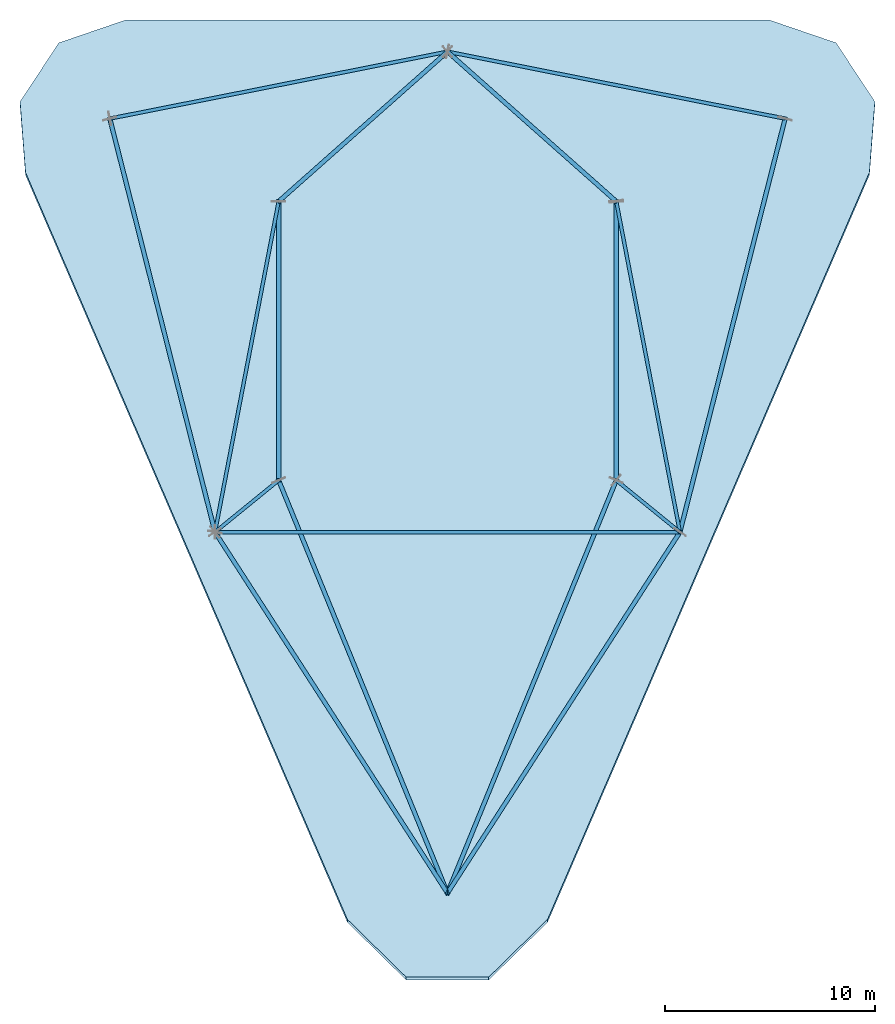
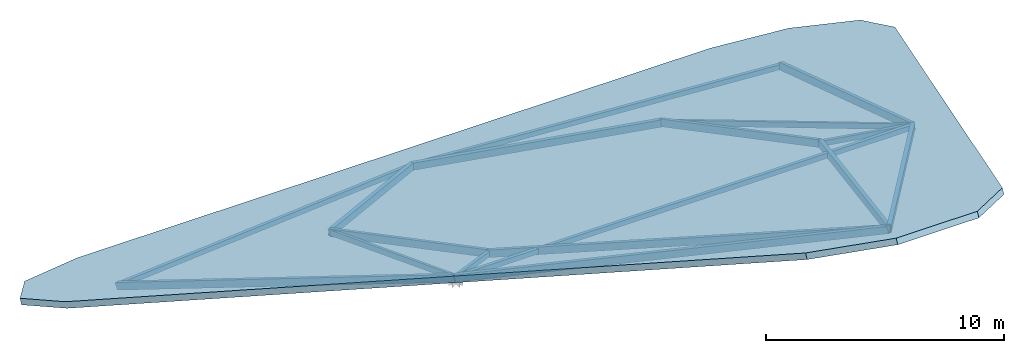
# One storey, part 1 of 2: 17 members, 1 slab.
"""IFC4 building model written with IfcOpenShell, lengths in metres."""

from ifc_helpers import new_model, si_unit, direction, frame, origin, origin_2d, place, context, subcontext, project, spatial, polyline, hollow_rectangle, outline, extrude, material, layer, layer_set, material_profile, profile_set, type_object, element, save


model = new_model("IFC4")

# Units and contexts
model_context = context("Model", 3, precision=1e-05, world=origin(), true_north=direction((0.0, 1.0)))
body_context = subcontext(model_context, "Body", "Model", "MODEL_VIEW")
ifc_project = project(units=[si_unit("LENGTHUNIT", "METRE"), si_unit("AREAUNIT", "SQUARE_METRE"), si_unit("VOLUMEUNIT", "CUBIC_METRE"), si_unit("PLANEANGLEUNIT", "RADIAN"), si_unit("MASSUNIT", "GRAM", prefix="KILO")], contexts=[model_context])

# Site, building, storey
site_placement = place(None, origin())
site = spatial("IfcSite", under=ifc_project, at=site_placement, CompositionType="ELEMENT")
building_placement = place(site_placement, origin())
building = spatial("IfcBuilding", under=site, at=building_placement, Name="Talyreon Biosciences Tower", CompositionType="ELEMENT")
storey_placement = place(building_placement, frame((0.0, 0.0, 346.5)))
storey = spatial("IfcBuildingStorey", under=building, at=storey_placement, Name="RF", CompositionType="ELEMENT", Elevation=346.5)

# Members
ifc_material_1 = material(Name="Steel SM355", Category="steel")
ifc_material_profile_1 = material_profile(ifc_material_1, hollow_rectangle(XDim=0.159912109375, YDim=0.260009765625, WallThickness=0.010009765625, at=origin_2d()), Name="RHS 260x160x10")
ifc_profile_set_1 = profile_set([ifc_material_profile_1], Name="Steel SM355")
member_type_1 = type_object("IfcMemberType", Name="CrownPurlin_RHS260x160", PredefinedType="PURLIN", material=ifc_profile_set_1)
for number, where, z_axis, x_axis, name in (
    (1, (49.897705078125, 78.5986328125, -22.3076171875), (0.977195265268, 0.193601857801, -0.087222326232), (-0.194342522311, 0.980933730698, 0.0), "Slanted Crown Purlin 01"),
    (2, (66.0, 81.788818359375, -23.744873046875), (0.977195265268, -0.193601857801, 0.087222326232), (0.194342522311, 0.980933730698, 0.0), "Slanted Crown Purlin 02"),
):
    element("IfcMember", number, at=place(storey_placement, frame(where, z_axis=z_axis, x_axis=x_axis)), inside=storey, type_object=member_type_1, Name=name, PredefinedType="PURLIN", context=body_context, shape_type="SweptSolid", body=[
        extrude(hollow_rectangle(XDim=0.159912109375, YDim=0.260009765625, WallThickness=0.010009765625, at=origin_2d()), origin(), (0.0, 0.0, 1.0), 16.47802734375),
    ])
member_1_placement = place(storey_placement, frame((54.913818359375, 58.88037109375, -11.69970703125), z_axis=(0.167989674377, 0.872530479848, -0.458770128756), x_axis=(-0.981965652528, 0.189059401394, 0.0)))
element("IfcMember", 3, at=member_1_placement, inside=storey, type_object=member_type_1, Name="Slanted Crown Purlin 03", PredefinedType="PURLIN", context=body_context, shape_type="SweptSolid", body=[
    extrude(hollow_rectangle(XDim=0.159912109375, YDim=0.260009765625, WallThickness=0.010009765625, at=origin_2d()), origin(), (0.0, 0.0, 1.0), 18.0732421875),
])
member_2_placement = place(storey_placement, frame((54.913818359375, 58.88037109375, -11.69970703125), z_axis=(0.73628435661, 0.598926708867, -0.314916089804), x_axis=(-0.631034025249, 0.775755154013, 0.0)))
element("IfcMember", 4, at=member_2_placement, inside=storey, type_object=member_type_1, Name="Slanted Crown Purlin 04", PredefinedType="PURLIN", context=body_context, shape_type="SweptSolid", body=[
    extrude(hollow_rectangle(XDim=0.159912109375, YDim=0.260009765625, WallThickness=0.010009765625, at=origin_2d()), origin(), (0.0, 0.0, 1.0), 4.12353515625),
])
member_3_placement = place(storey_placement, frame((74.050048828125, 74.64990234375, -19.9912109375), z_axis=(0.167989674377, -0.872530479848, 0.458770128756), x_axis=(0.981965652528, 0.189059401394, 0.0)))
element("IfcMember", 5, at=member_3_placement, inside=storey, type_object=member_type_1, Name="Slanted Crown Purlin 05", PredefinedType="PURLIN", context=body_context, shape_type="SweptSolid", body=[
    extrude(hollow_rectangle(XDim=0.159912109375, YDim=0.260009765625, WallThickness=0.010009765625, at=origin_2d()), origin(), (0.0, 0.0, 1.0), 18.0732421875),
])
member_4_placement = place(storey_placement, frame((74.050048828125, 61.35009765625, -12.998291015625), z_axis=(0.73628435661, -0.598926708867, 0.314916089804), x_axis=(0.631034025249, 0.775755154013, 0.0)))
element("IfcMember", 6, at=member_4_placement, inside=storey, type_object=member_type_1, Name="Slanted Crown Purlin 06", PredefinedType="PURLIN", context=body_context, shape_type="SweptSolid", body=[
    extrude(hollow_rectangle(XDim=0.159912109375, YDim=0.260009765625, WallThickness=0.010009765625, at=origin_2d()), origin(), (0.0, 0.0, 1.0), 4.12353515625),
])
member_5_placement = place(storey_placement, frame((54.913818359375, 58.88037109375, -11.69970703125), z_axis=(1.0, 0.0, 0.0), x_axis=(0.0, 1.0, 0.0)))
element("IfcMember", 7, at=member_5_placement, inside=storey, type_object=member_type_1, Name="Slanted Crown Purlin 07", PredefinedType="PURLIN", context=body_context, shape_type="SweptSolid", body=[
    extrude(hollow_rectangle(XDim=0.159912109375, YDim=0.260009765625, WallThickness=0.010009765625, at=origin_2d()), origin(), (0.0, 0.0, 1.0), 22.17236328125),
])
ifc_material_profile_2 = material_profile(ifc_material_1, hollow_rectangle(XDim=0.199951171875, YDim=0.35009765625, WallThickness=0.013916015625, at=origin_2d()), Name="RHS 350x200x14")
ifc_profile_set_2 = profile_set([ifc_material_profile_2], Name="Steel SM355")
member_type_2 = type_object("IfcMemberType", Name="CrownRafter_RHS350x200", PredefinedType="RAFTER", material=ifc_profile_set_2)
for number, where, z_axis, x_axis, name in (
    (8, (66.0, 81.788818359375, -23.744873046875), (-0.706423575196, -0.626468072736, 0.329398673722), (0.663497235908, -0.748178733955, 0.0), "Slanted Crown Rafter 01"),
    (9, (66.0, 81.788818359375, -23.744873046875), (0.706423575196, -0.626468072736, 0.329398673722), (0.663497235908, 0.748178733955, 0.0), "Slanted Crown Rafter 02"),
):
    element("IfcMember", number, at=place(storey_placement, frame(where, z_axis=z_axis, x_axis=x_axis)), inside=storey, type_object=member_type_2, Name=name, PredefinedType="RAFTER", context=body_context, shape_type="SweptSolid", body=[
        extrude(hollow_rectangle(XDim=0.199951171875, YDim=0.35009765625, WallThickness=0.013916015625, at=origin_2d()), origin(), (0.0, 0.0, 1.0), 11.3955078125),
    ])
for number, where, z_axis, x_axis, name in (
    (10, (57.949951171875, 74.64990234375, -19.9912109375), (0.0, -0.885109525101, 0.465382776406), (1.0, 0.0, 0.0), "Slanted Crown Rafter 03"),
    (11, (74.050048828125, 74.64990234375, -19.9912109375), (0.0, -0.885109525101, 0.465382776406), (1.0, 0.0, 0.0), "Slanted Crown Rafter 04"),
):
    element("IfcMember", number, at=place(storey_placement, frame(where, z_axis=z_axis, x_axis=x_axis)), inside=storey, type_object=member_type_2, Name=name, PredefinedType="RAFTER", context=body_context, shape_type="SweptSolid", body=[
        extrude(hollow_rectangle(XDim=0.199951171875, YDim=0.35009765625, WallThickness=0.013916015625, at=origin_2d()), origin(), (0.0, 0.0, 1.0), 15.026123046875),
    ])
for number, where, z_axis, x_axis, name in (
    (12, (57.949951171875, 61.35009765625, -12.998291015625), (0.340379652328, -0.83225937373, 0.437591164352), (0.925582064314, 0.378547014545, 0.0), "Slanted Crown Rafter 05"),
    (13, (74.050048828125, 61.35009765625, -12.998291015625), (-0.340379652328, -0.83225937373, 0.437591164352), (0.925582064314, -0.378547014545, 0.0), "Slanted Crown Rafter 06"),
):
    element("IfcMember", number, at=place(storey_placement, frame(where, z_axis=z_axis, x_axis=x_axis)), inside=storey, type_object=member_type_2, Name=name, PredefinedType="RAFTER", context=body_context, shape_type="SweptSolid", body=[
        extrude(hollow_rectangle(XDim=0.199951171875, YDim=0.35009765625, WallThickness=0.013916015625, at=origin_2d()), origin(), (0.0, 0.0, 1.0), 23.650146484375),
    ])
for number, where, z_axis, x_axis, name in (
    (14, (49.897705078125, 78.5986328125, -22.3076171875), (0.218609264117, -0.859349548607, 0.462307628048), (0.969133358755, 0.246537082299, 0.0), "Slanted Crown Rafter 07"),
    (15, (82.102294921875, 78.5986328125, -22.3076171875), (-0.218609264117, -0.859349548607, 0.462307628048), (0.969133358755, -0.246537082299, 0.0), "Slanted Crown Rafter 08"),
):
    element("IfcMember", number, at=place(storey_placement, frame(where, z_axis=z_axis, x_axis=x_axis)), inside=storey, type_object=member_type_2, Name=name, PredefinedType="RAFTER", context=body_context, shape_type="SweptSolid", body=[
        extrude(hollow_rectangle(XDim=0.199951171875, YDim=0.35009765625, WallThickness=0.013916015625, at=origin_2d()), origin(), (0.0, 0.0, 1.0), 22.945556640625),
    ])
for number, where, z_axis, x_axis, name in (
    (16, (54.913818359375, 58.88037109375, -11.69970703125), (0.495236710031, -0.768947994394, 0.404301351661), (0.840724114092, 0.541463723609, 0.0), "Slanted Crown Rafter 09"),
    (17, (77.086181640625, 58.88037109375, -11.69970703125), (-0.495236710031, -0.768947994394, 0.404301351661), (0.840724114092, -0.541463723609, 0.0), "Slanted Crown Rafter 10"),
):
    element("IfcMember", number, at=place(storey_placement, frame(where, z_axis=z_axis, x_axis=x_axis)), inside=storey, type_object=member_type_2, Name=name, PredefinedType="RAFTER", context=body_context, shape_type="SweptSolid", body=[
        extrude(hollow_rectangle(XDim=0.199951171875, YDim=0.35009765625, WallThickness=0.013916015625, at=origin_2d()), origin(), (0.0, 0.0, 1.0), 22.3857421875),
    ])

# Slab
ifc_material_2 = material(Name="Structural laminated solar-control crown glass", Category="glass")
ifc_layer = layer(ifc_material_2, 0.2900390625)
ifc_layer_set = layer_set([ifc_layer], Name="Structural laminated solar-control crown glass")
slab_type = type_object("IfcSlabType", Name="SlantedCrownRoof_290", PredefinedType="ROOF", material=ifc_layer_set)
slab_placement = place(storey_placement, frame((61.224365234375, 40.411865234375, -1.44921875), z_axis=(0.0, 0.465383881603, 0.885108943997), x_axis=(-0.35628136252, 0.827026961363, -0.434844795186)))
element("IfcSlab", 18, at=slab_placement, inside=storey, type_object=slab_type, Name="Slanted-Cut Laminated Glass Crown Roof Slab", PredefinedType="ROOF", context=body_context, shape_type="SweptSolid", body=[
    extrude(outline(polyline([(0.0, 0.0), (43.08420049731547, -1.7763568394002505e-15), (46.71968021064943, -1.1084715010344746), (49.02877033445923, -3.9692254091706993), (49.04406569994726, -7.3835410838985815), (38.10615828439276, -36.06915025634609), (35.821482853441935, -38.606480280230954), (32.19390813659705, -39.20356636824545), (28.743353759375537, -37.61011216290852), (-3.40293932238543, -8.924502990461013), (-5.31213575425713, -5.190941165795838), (-3.9103216823905695, -1.5145623969632203), (0.0, 0.0)])), origin(), (0.0, 0.0, -1.0), 0.2900390625),
])

save(model, "model.ifc")
